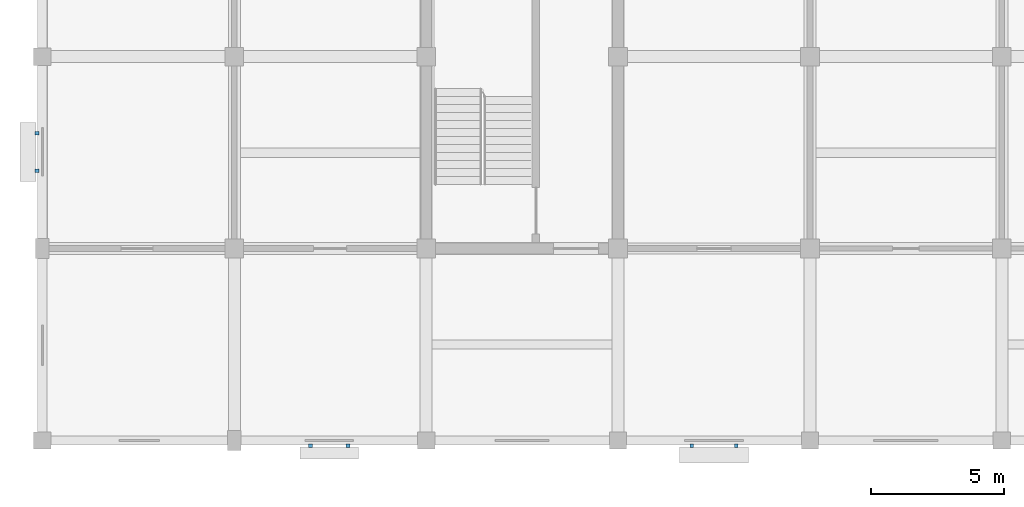
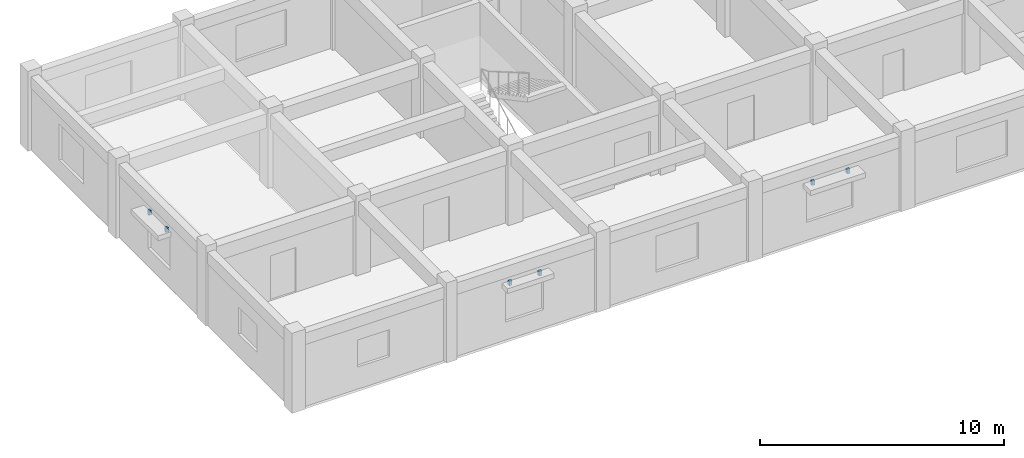
# One storey, part 10 of 11: 6 discrete accessories.
"""IFC4 building model written with IfcOpenShell, lengths in metres."""

import ifcopenshell
import ifcopenshell.guid

model = None  # the IFC model being written
_history = None  # IfcOwnerHistory: only IFC2X3 demands one
_inside = {}  # id of a spatial element -> (the spatial element, [elements in it])
_under = {}  # id of a project, library or spatial element -> (it, [spatial elements below it])
_declared = {}  # id of a project -> (the project, [libraries it declares])
_typed = {}  # id of a type object -> (the type object, [elements of that type])
_made_of = {}  # id of a material, layer set ... -> (it, [elements and type objects made of it])


def new_model(schema):
    """Start an empty IFC model of exactly this schema.

    Asked for "IFC4X3", IfcOpenShell would pick the latest addendum, in which some entities
    have other attributes; the version numbers below select the first issue.
    IFC2X3 requires an IfcOwnerHistory on every rooted entity: one is made here for all.
    """
    global model, _history
    if schema == "IFC4X3":
        model = ifcopenshell.file(schema_version=(4, 3, 0, 0))
    else:
        model = ifcopenshell.file(schema=schema)
    _inside.clear()
    _under.clear()
    _declared.clear()
    _typed.clear()
    _made_of.clear()
    _history = None
    if model.schema == "IFC2X3":
        org = make("IfcOrganization", Name="unknown")
        user = make(
            "IfcPersonAndOrganization",
            ThePerson=make("IfcPerson", FamilyName="unknown"),
            TheOrganization=org,
        )
        app = make(
            "IfcApplication",
            ApplicationDeveloper=org,
            Version="unknown",
            ApplicationFullName="unknown",
            ApplicationIdentifier="unknown",
        )
        _history = make(
            "IfcOwnerHistory",
            OwningUser=user,
            OwningApplication=app,
            ChangeAction="ADDED",
            CreationDate=0,
        )
    return model


def make(cls, **values):
    """One entity of the class cls with the attributes given. An attribute that is None is left unset."""
    return model.create_entity(
        cls, **{name: value for name, value in values.items() if value is not None}
    )


def rooted(cls, **values):
    """An entity with a GlobalId (a new one), such as an element, a storey or a relation."""
    return make(cls, GlobalId=ifcopenshell.guid.new(), OwnerHistory=_history, **values)


def si_unit(unit_type, name, prefix=None):
    """IfcSIUnit, for example si_unit("LENGTHUNIT", "METRE", prefix="MILLI")."""
    return make("IfcSIUnit", UnitType=unit_type, Prefix=prefix, Name=name)


def assignment(units):
    """IfcUnitAssignment: the units of a project."""
    return None if units is None else make("IfcUnitAssignment", Units=units)


def point(xyz):
    """IfcCartesianPoint."""
    return None if xyz is None else make("IfcCartesianPoint", Coordinates=xyz)


def direction(xyz):
    """IfcDirection."""
    return None if xyz is None else make("IfcDirection", DirectionRatios=xyz)


def frame(location, z_axis=None, x_axis=None):
    """IfcAxis2Placement3D, a coordinate frame: its origin and axes. An axis left out is left unset."""
    return make(
        "IfcAxis2Placement3D",
        Location=point(location),
        Axis=direction(z_axis),
        RefDirection=direction(x_axis),
    )


def frame_2d(location, x_axis=None):
    """IfcAxis2Placement2D, a coordinate frame in the plane: its origin and x axis."""
    return make(
        "IfcAxis2Placement2D", Location=point(location), RefDirection=direction(x_axis)
    )


def origin():
    """The frame at (0, 0, 0) with its axes left unset."""
    return frame((0.0, 0.0, 0.0))


def origin_2d():
    """The frame at (0, 0) in the plane with its x axis left unset."""
    return frame_2d((0.0, 0.0))


def place(relative_to, where):
    """IfcLocalPlacement: puts the frame where relative to a parent placement (None: the world)."""
    return make(
        "IfcLocalPlacement", PlacementRelTo=relative_to, RelativePlacement=where
    )


def context(
    kind, dimensions, precision=None, world=None, true_north=None, identifier=None
):
    """IfcGeometricRepresentationContext, for example the 3D "Model" context."""
    return make(
        "IfcGeometricRepresentationContext",
        ContextIdentifier=identifier,
        ContextType=kind,
        CoordinateSpaceDimension=dimensions,
        Precision=precision,
        WorldCoordinateSystem=world,
        TrueNorth=true_north,
    )


def subcontext(parent, identifier, kind, view, scale=None):
    """IfcGeometricRepresentationSubContext, for example "Body" below "Model"."""
    return make(
        "IfcGeometricRepresentationSubContext",
        ContextIdentifier=identifier,
        ContextType=kind,
        ParentContext=parent,
        TargetScale=scale,
        TargetView=view,
    )


def project(units=None, contexts=None):
    """IfcProject with its units and contexts."""
    return rooted(
        "IfcProject",
        Name="project",
        RepresentationContexts=contexts,
        UnitsInContext=assignment(units),
    )


def spatial(cls, under=None, at=None, **own):
    """A site, building, storey or space (cls), placed at a placement, below another one or the project."""
    s = rooted(cls, ObjectPlacement=at, **own)
    if under is not None:
        _under.setdefault(under.id(), (under, []))[1].append(s)
    return s


def profile(cls, at=None, kind="AREA", **sizes):
    """A parametric profile (cls). Its sizes go by their IFC names, for example OverallWidth=200.0."""
    return make(cls, ProfileType=kind, Position=at, **sizes)


def rectangle(**sizes):
    """IfcRectangleProfileDef."""
    return profile("IfcRectangleProfileDef", **sizes)


def extrude(swept, where, along, depth):
    """IfcExtrudedAreaSolid: the profile swept, set in the frame where, extruded along a direction by depth."""
    return make(
        "IfcExtrudedAreaSolid",
        SweptArea=swept,
        Position=where,
        ExtrudedDirection=direction(along),
        Depth=depth,
    )


def shape(context_of_items, identifier, shape_type, items):
    """IfcShapeRepresentation: the items that make up one representation, for example the "Body"."""
    return make(
        "IfcShapeRepresentation",
        ContextOfItems=context_of_items,
        RepresentationIdentifier=identifier,
        RepresentationType=shape_type,
        Items=items,
    )


def material(Name=None, Category=None):
    """IfcMaterial."""
    return make("IfcMaterial", Name=Name, Category=Category)


def made_of(thing, what):
    """Note that an element or type object is made of a material, layer set ...; save() writes the relation."""
    if what is not None:
        _made_of.setdefault(what.id(), (what, []))[1].append(thing)
    return thing


def type_object(cls, material=None, **own):
    """A type object (cls), such as IfcWallType, which elements share."""
    return made_of(rooted(cls, **own), material)


def element(
    cls,
    number,
    at=None,
    inside=None,
    cuts=None,
    type_object=None,
    material=None,
    context=None,
    identifier="Body",
    shape_type=None,
    held_by="IfcProductDefinitionShape",
    body=None,
    shapes=None,
    **own,
):
    """One element of the class cls, such as IfcWall. Its Tag is "e" and its number.

    at: its placement. inside: the storey or other place that contains it. cuts: it is an
    opening in that element (IfcRelVoidsElement). A single representation is given by context,
    identifier, shape_type and body (its items); several are given by shapes. held_by: the class
    of the entity that holds the representations. save() writes the other relations.
    """
    e = rooted(cls, Tag="e%d" % number, ObjectPlacement=at, **own)
    if body is not None:
        shapes = [shape(context, identifier, shape_type, body)]
    if shapes is not None:
        e.Representation = make(held_by, Representations=shapes)
    if inside is not None:
        _inside.setdefault(inside.id(), (inside, []))[1].append(e)
    if cuts is not None:
        rooted(
            "IfcRelVoidsElement", RelatingBuildingElement=cuts, RelatedOpeningElement=e
        )
    if type_object is not None:
        _typed.setdefault(type_object.id(), (type_object, []))[1].append(e)
    return made_of(e, material)


def aggregate(whole, parts):
    """IfcRelAggregates: a whole, such as a stair, and the parts it consists of."""
    return rooted("IfcRelAggregates", RelatingObject=whole, RelatedObjects=parts)


def save(model, path):
    """Write the relations noted so far, then the file.

    IfcRelAggregates (storeys below a building ...), IfcRelContainedInSpatialStructure (elements
    in a storey), IfcRelDefinesByType, IfcRelAssociatesMaterial and IfcRelDeclares: one each for
    every whole, place, type object, material and project.
    """
    for whole, parts in _under.values():
        aggregate(whole, parts)
    for where, things in _inside.values():
        rooted(
            "IfcRelContainedInSpatialStructure",
            RelatedElements=things,
            RelatingStructure=where,
        )
    for kind, things in _typed.values():
        rooted("IfcRelDefinesByType", RelatedObjects=things, RelatingType=kind)
    for what, things in _made_of.values():
        rooted("IfcRelAssociatesMaterial", RelatedObjects=things, RelatingMaterial=what)
    for by, libraries in _declared.values():
        rooted("IfcRelDeclares", RelatingContext=by, RelatedDefinitions=libraries)
    model.write(path)


model = new_model("IFC4")

# Units and contexts
model_context = context("Model", 3, precision=1e-05, world=origin(), true_north=direction((0.0, 1.0)))
body_context = subcontext(model_context, "Body", "Model", "MODEL_VIEW")
ifc_project = project(units=[si_unit("LENGTHUNIT", "METRE"), si_unit("AREAUNIT", "SQUARE_METRE"), si_unit("VOLUMEUNIT", "CUBIC_METRE"), si_unit("PLANEANGLEUNIT", "RADIAN"), si_unit("MASSUNIT", "GRAM", prefix="KILO")], contexts=[model_context])

# Site, building, storey
site_placement = place(None, origin())
site = spatial("IfcSite", under=ifc_project, at=site_placement, CompositionType="ELEMENT")
building_placement = place(site_placement, origin())
building = spatial("IfcBuilding", under=site, at=building_placement, Name="Cendaluz Park School", CompositionType="ELEMENT")
storey_placement = place(building_placement, frame((0.0, 0.0, 26.60009765625)))
storey = spatial("IfcBuildingStorey", under=building, at=storey_placement, Name="L06", CompositionType="ELEMENT", Elevation=26.60009765625)

# Discrete accessories
ifc_material = material(Name="Steel S355", Category="steel")
discrete_accessory_type = type_object("IfcDiscreteAccessoryType", Name="BK-01", PredefinedType="BRACKET", material=ifc_material)
for number, where, z_axis, x_axis, name in (
    (1, (21.39990234375, 17.321044921875, 2.72998046875), (0.0, 0.0, 1.0), (0.0, 1.0, 0.0), "BK-L06-171"),
    (2, (21.39990234375, 18.72900390625, 2.72998046875), (0.0, 0.0, 1.0), (0.0, 1.0, 0.0), "BK-L06-172"),
    (3, (31.658447265625, 7.0, 2.72998046875), (0.0, 0.0, 1.0), (1.0, 0.0, 0.0), "BK-L06-173"),
    (4, (33.06640625, 7.0, 2.72998046875), (0.0, 0.0, 1.0), (1.0, 0.0, 0.0), "BK-L06-174"),
    (5, (45.968017578125, 7.0, 2.72998046875), (0.0, 0.0, 1.0), (1.0, 0.0, 0.0), "BK-L06-175"),
    (6, (47.632080078125, 7.0, 2.72998046875), (0.0, 0.0, 1.0), (1.0, 0.0, 0.0), "BK-L06-176"),
):
    element("IfcDiscreteAccessory", number, at=place(storey_placement, frame(where, z_axis=z_axis, x_axis=x_axis)), inside=storey, type_object=discrete_accessory_type, Name=name, PredefinedType="BRACKET", context=body_context, shape_type="SweptSolid", body=[
        extrude(rectangle(XDim=0.139892578125, YDim=0.139892578125, at=origin_2d()), origin(), (0.0, 0.0, 1.0), 0.219970703125),
    ])

save(model, "model.ifc")
